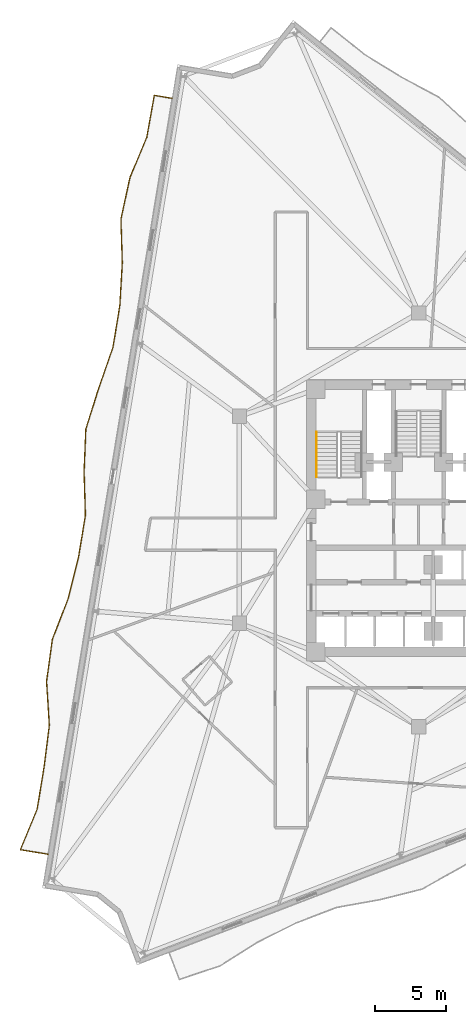
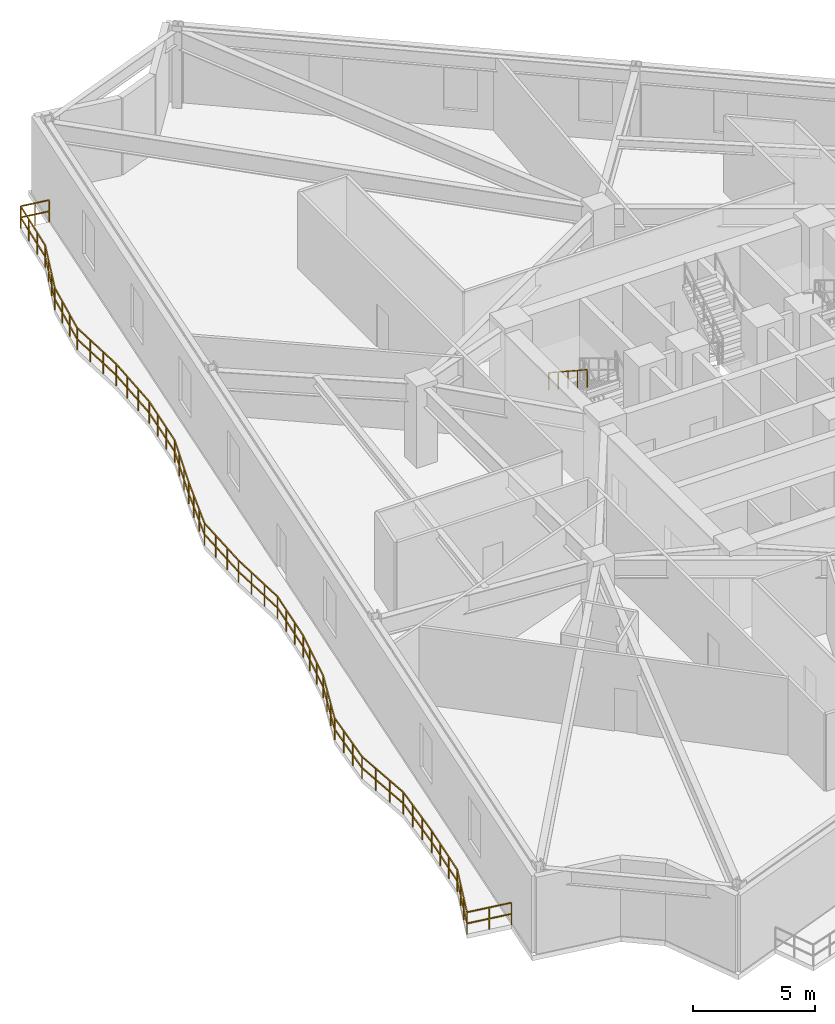
# One storey, part 9 of 11: 2 railings.
"""IFC4 building model written with IfcOpenShell, lengths in metres."""

from ifc_helpers import new_model, si_unit, direction, frame, origin, origin_2d, place, context, subcontext, project, spatial, rectangle, extrude, material, type_object, element, save


model = new_model("IFC4")

# Units and contexts
model_context = context("Model", 3, precision=1e-05, world=origin(), true_north=direction((0.0, 1.0)))
body_context = subcontext(model_context, "Body", "Model", "MODEL_VIEW")
ifc_project = project(units=[si_unit("LENGTHUNIT", "METRE"), si_unit("AREAUNIT", "SQUARE_METRE"), si_unit("VOLUMEUNIT", "CUBIC_METRE"), si_unit("PLANEANGLEUNIT", "RADIAN"), si_unit("MASSUNIT", "GRAM", prefix="KILO")], contexts=[model_context])

# Site, building, storey
site_placement = place(None, origin())
site = spatial("IfcSite", under=ifc_project, at=site_placement, CompositionType="ELEMENT")
building_placement = place(site_placement, origin())
building = spatial("IfcBuilding", under=site, at=building_placement, Name="Apsidion Concourse Tower", CompositionType="ELEMENT")
storey_placement = place(building_placement, frame((0.0, 0.0, 132.199951171875)))
storey = spatial("IfcBuildingStorey", under=building, at=storey_placement, Name="L30", CompositionType="ELEMENT", Elevation=132.199951171875)

# Railings
ifc_material = material(Name="Brushed stainless steel 316", Category="steel")
railing_type_1 = type_object("IfcRailingType", Name="RL-BAL-1120", PredefinedType="BALUSTRADE", material=ifc_material)
railing_1_placement = place(storey_placement, frame((-25.99072265625, -23.43701171875, 0.0)))
element("IfcRailing", 1, at=railing_1_placement, inside=storey, type_object=railing_type_1, Name="L30 Face 1 Rippling Balcony Balustrade", PredefinedType="BALUSTRADE", context=body_context, shape_type="SweptSolid", body=[
    extrude(rectangle(XDim=0.048095703125, YDim=0.048095703125, at=origin_2d()), frame((0.0, 0.0, 1.09619140625), z_axis=(-0.986783418125, 0.162044702824, 0.0), x_axis=(-0.162044702824, -0.986783418125, 0.0)), (0.0, 0.0, 1.0), 1.951171875),
    extrude(rectangle(XDim=0.048095703125, YDim=0.048095703125, at=origin_2d()), frame((0.0, 0.0, 0.5361328125), z_axis=(-0.986783418125, 0.162044702824, 0.0), x_axis=(-0.162044702824, -0.986783418125, 0.0)), (0.0, 0.0, 1.0), 1.951171875),
    extrude(rectangle(XDim=0.048095703125, YDim=0.048095703125, at=origin_2d()), frame((-1.92529296875, 0.316162109375, 1.09619140625), z_axis=(0.38342127394, 0.923573563226, 0.0), x_axis=(-0.923573563226, 0.38342127394, 0.0)), (0.0, 0.0, 1.0), 3.06396484375),
    extrude(rectangle(XDim=0.048095703125, YDim=0.048095703125, at=origin_2d()), frame((-1.92529296875, 0.316162109375, 0.5361328125), z_axis=(0.38342127394, 0.923573563226, 0.0), x_axis=(-0.923573563226, 0.38342127394, 0.0)), (0.0, 0.0, 1.0), 3.06396484375),
    extrude(rectangle(XDim=0.048095703125, YDim=0.048095703125, at=origin_2d()), frame((-0.75048828125, 3.14599609375, 1.09619140625), z_axis=(0.162049402003, 0.986782646438, 0.0), x_axis=(-0.986782646438, 0.162049402003, 0.0)), (0.0, 0.0, 1.0), 2.98291015625),
    extrude(rectangle(XDim=0.048095703125, YDim=0.048095703125, at=origin_2d()), frame((-0.75048828125, 3.14599609375, 0.5361328125), z_axis=(0.162049402003, 0.986782646438, 0.0), x_axis=(-0.986782646438, 0.162049402003, 0.0)), (0.0, 0.0, 1.0), 2.98291015625),
    extrude(rectangle(XDim=0.048095703125, YDim=0.048095703125, at=origin_2d()), frame((-0.26708984375, 6.089599609375, 1.09619140625), z_axis=(0.124558139587, 0.99221231088, 0.0), x_axis=(-0.99221231088, 0.124558139587, 0.0)), (0.0, 0.0, 1.0), 2.985107421875),
    extrude(rectangle(XDim=0.048095703125, YDim=0.048095703125, at=origin_2d()), frame((-0.26708984375, 6.089599609375, 0.5361328125), z_axis=(0.124558139587, 0.99221231088, 0.0), x_axis=(-0.99221231088, 0.124558139587, 0.0)), (0.0, 0.0, 1.0), 2.985107421875),
    extrude(rectangle(XDim=0.048095703125, YDim=0.048095703125, at=origin_2d()), frame((0.104736328125, 9.051513671875, 1.09619140625), z_axis=(-0.063882673234, 0.997957415955, 0.0), x_axis=(-0.997957415955, -0.063882673234, 0.0)), (0.0, 0.0, 1.0), 3.061279296875),
    extrude(rectangle(XDim=0.048095703125, YDim=0.048095703125, at=origin_2d()), frame((0.104736328125, 9.051513671875, 0.5361328125), z_axis=(-0.063882673234, 0.997957415955, 0.0), x_axis=(-0.997957415955, -0.063882673234, 0.0)), (0.0, 0.0, 1.0), 3.061279296875),
    extrude(rectangle(XDim=0.048095703125, YDim=0.048095703125, at=origin_2d()), frame((-0.0908203125, 12.1064453125, 1.09619140625), z_axis=(0.136712146816, 0.990610816069, 0.0), x_axis=(-0.990610816069, 0.136712146816, 0.0)), (0.0, 0.0, 1.0), 2.984130859375),
    extrude(rectangle(XDim=0.048095703125, YDim=0.048095703125, at=origin_2d()), frame((-0.0908203125, 12.1064453125, 0.5361328125), z_axis=(0.136712146816, 0.990610816069, 0.0), x_axis=(-0.990610816069, 0.136712146816, 0.0)), (0.0, 0.0, 1.0), 2.984130859375),
    extrude(rectangle(XDim=0.048095703125, YDim=0.048095703125, at=origin_2d()), frame((0.317138671875, 15.0625, 1.09619140625), z_axis=(0.362079072325, 0.932147383939, 0.0), x_axis=(-0.932147383939, 0.362079072325, 0.0)), (0.0, 0.0, 1.0), 3.04833984375),
    extrude(rectangle(XDim=0.048095703125, YDim=0.048095703125, at=origin_2d()), frame((0.317138671875, 15.0625, 0.5361328125), z_axis=(0.362079072325, 0.932147383939, 0.0), x_axis=(-0.932147383939, 0.362079072325, 0.0)), (0.0, 0.0, 1.0), 3.04833984375),
    extrude(rectangle(XDim=0.048095703125, YDim=0.048095703125, at=origin_2d()), frame((1.4208984375, 17.904052734375, 1.09619140625), z_axis=(0.243130487984, 0.969993590604, 0.0), x_axis=(-0.969993590604, 0.243130487984, 0.0)), (0.0, 0.0, 1.0), 2.993408203125),
    extrude(rectangle(XDim=0.048095703125, YDim=0.048095703125, at=origin_2d()), frame((1.4208984375, 17.904052734375, 0.5361328125), z_axis=(0.243130487984, 0.969993590604, 0.0), x_axis=(-0.969993590604, 0.243130487984, 0.0)), (0.0, 0.0, 1.0), 2.993408203125),
    extrude(rectangle(XDim=0.048095703125, YDim=0.048095703125, at=origin_2d()), frame((2.148681640625, 20.8076171875, 1.09619140625), z_axis=(0.161969706487, 0.986795730727, 0.0), x_axis=(-0.986795730727, 0.161969706487, 0.0)), (0.0, 0.0, 1.0), 2.98291015625),
    extrude(rectangle(XDim=0.048095703125, YDim=0.048095703125, at=origin_2d()), frame((2.148681640625, 20.8076171875, 0.5361328125), z_axis=(0.161969706487, 0.986795730727, 0.0), x_axis=(-0.986795730727, 0.161969706487, 0.0)), (0.0, 0.0, 1.0), 2.98291015625),
    extrude(rectangle(XDim=0.048095703125, YDim=0.048095703125, at=origin_2d()), frame((2.6318359375, 23.751220703125, 1.09619140625), z_axis=(-0.030763317663, 0.999526697135, 0.0), x_axis=(-0.999526697135, -0.030763317663, 0.0)), (0.0, 0.0, 1.0), 3.03955078125),
    extrude(rectangle(XDim=0.048095703125, YDim=0.048095703125, at=origin_2d()), frame((2.6318359375, 23.751220703125, 0.5361328125), z_axis=(-0.030763317663, 0.999526697135, 0.0), x_axis=(-0.999526697135, -0.030763317663, 0.0)), (0.0, 0.0, 1.0), 3.03955078125),
    extrude(rectangle(XDim=0.048095703125, YDim=0.048095703125, at=origin_2d()), frame((2.538330078125, 26.789306640625, 1.09619140625), z_axis=(0.041025679865, 0.999158092392, 0.0), x_axis=(-0.999158092392, 0.041025679865, 0.0)), (0.0, 0.0, 1.0), 3.005126953125),
    extrude(rectangle(XDim=0.048095703125, YDim=0.048095703125, at=origin_2d()), frame((2.538330078125, 26.789306640625, 0.5361328125), z_axis=(0.041025679865, 0.999158092392, 0.0), x_axis=(-0.999158092392, 0.041025679865, 0.0)), (0.0, 0.0, 1.0), 3.005126953125),
    extrude(rectangle(XDim=0.048095703125, YDim=0.048095703125, at=origin_2d()), frame((2.66162109375, 29.7919921875, 1.09619140625), z_axis=(0.30072810206, 0.953709918493, 0.0), x_axis=(-0.953709918493, 0.30072810206, 0.0)), (0.0, 0.0, 1.0), 3.013427734375),
    extrude(rectangle(XDim=0.048095703125, YDim=0.048095703125, at=origin_2d()), frame((2.66162109375, 29.7919921875, 0.5361328125), z_axis=(0.30072810206, 0.953709918493, 0.0), x_axis=(-0.953709918493, 0.30072810206, 0.0)), (0.0, 0.0, 1.0), 3.013427734375),
    extrude(rectangle(XDim=0.048095703125, YDim=0.048095703125, at=origin_2d()), frame((3.56787109375, 32.666015625, 1.09619140625), z_axis=(0.329114716703, 0.9442899466, 0.0), x_axis=(-0.9442899466, 0.329114716703, 0.0)), (0.0, 0.0, 1.0), 3.028076171875),
    extrude(rectangle(XDim=0.048095703125, YDim=0.048095703125, at=origin_2d()), frame((3.56787109375, 32.666015625, 0.5361328125), z_axis=(0.329114716703, 0.9442899466, 0.0), x_axis=(-0.9442899466, 0.329114716703, 0.0)), (0.0, 0.0, 1.0), 3.028076171875),
    extrude(rectangle(XDim=0.048095703125, YDim=0.048095703125, at=origin_2d()), frame((4.564453125, 35.525390625, 1.09619140625), z_axis=(0.161969706487, 0.986795730727, 0.0), x_axis=(-0.986795730727, 0.161969706487, 0.0)), (0.0, 0.0, 1.0), 2.98291015625),
    extrude(rectangle(XDim=0.048095703125, YDim=0.048095703125, at=origin_2d()), frame((4.564453125, 35.525390625, 0.5361328125), z_axis=(0.161969706487, 0.986795730727, 0.0), x_axis=(-0.986795730727, 0.161969706487, 0.0)), (0.0, 0.0, 1.0), 2.98291015625),
    extrude(rectangle(XDim=0.048095703125, YDim=0.048095703125, at=origin_2d()), frame((5.047607421875, 38.468994140625, 1.09619140625), z_axis=(0.056646485034, 0.998394298728, 0.0), x_axis=(-0.998394298728, 0.056646485034, 0.0)), (0.0, 0.0, 1.0), 2.999755859375),
    extrude(rectangle(XDim=0.048095703125, YDim=0.048095703125, at=origin_2d()), frame((5.047607421875, 38.468994140625, 0.5361328125), z_axis=(0.056646485034, 0.998394298728, 0.0), x_axis=(-0.998394298728, 0.056646485034, 0.0)), (0.0, 0.0, 1.0), 2.999755859375),
    extrude(rectangle(XDim=0.048095703125, YDim=0.048095703125, at=origin_2d()), frame((5.217529296875, 41.4638671875, 1.09619140625), z_axis=(-0.031879024559, 0.99949173473, 0.0), x_axis=(-0.99949173473, -0.031879024559, 0.0)), (0.0, 0.0, 1.0), 3.040283203125),
    extrude(rectangle(XDim=0.048095703125, YDim=0.048095703125, at=origin_2d()), frame((5.217529296875, 41.4638671875, 0.5361328125), z_axis=(-0.031879024559, 0.99949173473, 0.0), x_axis=(-0.99949173473, -0.031879024559, 0.0)), (0.0, 0.0, 1.0), 3.040283203125),
    extrude(rectangle(XDim=0.048095703125, YDim=0.048095703125, at=origin_2d()), frame((5.12060546875, 44.502685546875, 1.09619140625), z_axis=(0.211951131573, 0.97728026575, 0.0), x_axis=(-0.97728026575, 0.211951131573, 0.0)), (0.0, 0.0, 1.0), 2.98681640625),
    extrude(rectangle(XDim=0.048095703125, YDim=0.048095703125, at=origin_2d()), frame((5.12060546875, 44.502685546875, 0.5361328125), z_axis=(0.211951131573, 0.97728026575, 0.0), x_axis=(-0.97728026575, 0.211951131573, 0.0)), (0.0, 0.0, 1.0), 2.98681640625),
    extrude(rectangle(XDim=0.048095703125, YDim=0.048095703125, at=origin_2d()), frame((5.753662109375, 47.421630859375, 1.09619140625), z_axis=(0.384999905326, 0.922916612105, 0.0), x_axis=(-0.922916612105, 0.384999905326, 0.0)), (0.0, 0.0, 1.0), 3.0654296875),
    extrude(rectangle(XDim=0.048095703125, YDim=0.048095703125, at=origin_2d()), frame((5.753662109375, 47.421630859375, 0.5361328125), z_axis=(0.384999905326, 0.922916612105, 0.0), x_axis=(-0.922916612105, 0.384999905326, 0.0)), (0.0, 0.0, 1.0), 3.0654296875),
    extrude(rectangle(XDim=0.048095703125, YDim=0.048095703125, at=origin_2d()), frame((6.933837890625, 50.250732421875, 1.09619140625), z_axis=(0.1775746639, 0.984107330905, 0.0), x_axis=(-0.984107330905, 0.1775746639, 0.0)), (0.0, 0.0, 1.0), 2.9833984375),
    extrude(rectangle(XDim=0.048095703125, YDim=0.048095703125, at=origin_2d()), frame((6.933837890625, 50.250732421875, 0.5361328125), z_axis=(0.1775746639, 0.984107330905, 0.0), x_axis=(-0.984107330905, 0.1775746639, 0.0)), (0.0, 0.0, 1.0), 2.9833984375),
    extrude(rectangle(XDim=0.048095703125, YDim=0.048095703125, at=origin_2d()), frame((7.463623046875, 53.186767578125, 1.09619140625), z_axis=(0.986771375396, -0.162118020898, 0.0), x_axis=(0.162118020898, 0.986771375396, 0.0)), (0.0, 0.0, 1.0), 1.25),
    extrude(rectangle(XDim=0.048095703125, YDim=0.048095703125, at=origin_2d()), frame((7.463623046875, 53.186767578125, 0.5361328125), z_axis=(0.986771375396, -0.162118020898, 0.0), x_axis=(0.162118020898, 0.986771375396, 0.0)), (0.0, 0.0, 1.0), 1.25),
    extrude(rectangle(XDim=0.0419921875, YDim=0.0419921875, at=origin_2d()), origin(), (0.0, 0.0, 1.0), 1.072021484375),
    extrude(rectangle(XDim=0.0419921875, YDim=0.0419921875, at=origin_2d()), frame((-0.962646484375, 0.158203125, 0.0)), (0.0, 0.0, 1.0), 1.072021484375),
    extrude(rectangle(XDim=0.0419921875, YDim=0.0419921875, at=origin_2d()), frame((-1.92529296875, 0.316162109375, 0.0)), (0.0, 0.0, 1.0), 1.072021484375),
    extrude(rectangle(XDim=0.0419921875, YDim=0.0419921875, at=origin_2d()), frame((-1.53369140625, 1.259521484375, 0.0)), (0.0, 0.0, 1.0), 1.072021484375),
    extrude(rectangle(XDim=0.0419921875, YDim=0.0419921875, at=origin_2d()), frame((-1.14208984375, 2.20263671875, 0.0)), (0.0, 0.0, 1.0), 1.072021484375),
    extrude(rectangle(XDim=0.0419921875, YDim=0.0419921875, at=origin_2d()), frame((-0.75048828125, 3.14599609375, 0.0)), (0.0, 0.0, 1.0), 1.072021484375),
    extrude(rectangle(XDim=0.0419921875, YDim=0.0419921875, at=origin_2d()), frame((-0.58935546875, 4.127197265625, 0.0)), (0.0, 0.0, 1.0), 1.072021484375),
    extrude(rectangle(XDim=0.0419921875, YDim=0.0419921875, at=origin_2d()), frame((-0.42822265625, 5.1083984375, 0.0)), (0.0, 0.0, 1.0), 1.072021484375),
    extrude(rectangle(XDim=0.0419921875, YDim=0.0419921875, at=origin_2d()), frame((-0.26708984375, 6.089599609375, 0.0)), (0.0, 0.0, 1.0), 1.072021484375),
    extrude(rectangle(XDim=0.0419921875, YDim=0.0419921875, at=origin_2d()), frame((-0.14306640625, 7.076904296875, 0.0)), (0.0, 0.0, 1.0), 1.072021484375),
    extrude(rectangle(XDim=0.0419921875, YDim=0.0419921875, at=origin_2d()), frame((-0.019287109375, 8.064208984375, 0.0)), (0.0, 0.0, 1.0), 1.072021484375),
    extrude(rectangle(XDim=0.0419921875, YDim=0.0419921875, at=origin_2d()), frame((0.104736328125, 9.051513671875, 0.0)), (0.0, 0.0, 1.0), 1.072021484375),
    extrude(rectangle(XDim=0.0419921875, YDim=0.0419921875, at=origin_2d()), frame((0.03955078125, 10.06982421875, 0.0)), (0.0, 0.0, 1.0), 1.072021484375),
    extrude(rectangle(XDim=0.0419921875, YDim=0.0419921875, at=origin_2d()), frame((-0.025634765625, 11.088134765625, 0.0)), (0.0, 0.0, 1.0), 1.072021484375),
    extrude(rectangle(XDim=0.0419921875, YDim=0.0419921875, at=origin_2d()), frame((-0.0908203125, 12.1064453125, 0.0)), (0.0, 0.0, 1.0), 1.072021484375),
    extrude(rectangle(XDim=0.0419921875, YDim=0.0419921875, at=origin_2d()), frame((0.045166015625, 13.091796875, 0.0)), (0.0, 0.0, 1.0), 1.072021484375),
    extrude(rectangle(XDim=0.0419921875, YDim=0.0419921875, at=origin_2d()), frame((0.18115234375, 14.0771484375, 0.0)), (0.0, 0.0, 1.0), 1.072021484375),
    extrude(rectangle(XDim=0.0419921875, YDim=0.0419921875, at=origin_2d()), frame((0.317138671875, 15.0625, 0.0)), (0.0, 0.0, 1.0), 1.072021484375),
    extrude(rectangle(XDim=0.0419921875, YDim=0.0419921875, at=origin_2d()), frame((0.68505859375, 16.009765625, 0.0)), (0.0, 0.0, 1.0), 1.072021484375),
    extrude(rectangle(XDim=0.0419921875, YDim=0.0419921875, at=origin_2d()), frame((1.052978515625, 16.956787109375, 0.0)), (0.0, 0.0, 1.0), 1.072021484375),
    extrude(rectangle(XDim=0.0419921875, YDim=0.0419921875, at=origin_2d()), frame((1.4208984375, 17.904052734375, 0.0)), (0.0, 0.0, 1.0), 1.072021484375),
    extrude(rectangle(XDim=0.0419921875, YDim=0.0419921875, at=origin_2d()), frame((1.66357421875, 18.871826171875, 0.0)), (0.0, 0.0, 1.0), 1.072021484375),
    extrude(rectangle(XDim=0.0419921875, YDim=0.0419921875, at=origin_2d()), frame((1.906005859375, 19.83984375, 0.0)), (0.0, 0.0, 1.0), 1.072021484375),
    extrude(rectangle(XDim=0.0419921875, YDim=0.0419921875, at=origin_2d()), frame((2.148681640625, 20.8076171875, 0.0)), (0.0, 0.0, 1.0), 1.072021484375),
    extrude(rectangle(XDim=0.0419921875, YDim=0.0419921875, at=origin_2d()), frame((2.309814453125, 21.788818359375, 0.0)), (0.0, 0.0, 1.0), 1.072021484375),
    extrude(rectangle(XDim=0.0419921875, YDim=0.0419921875, at=origin_2d()), frame((2.470703125, 22.77001953125, 0.0)), (0.0, 0.0, 1.0), 1.072021484375),
    extrude(rectangle(XDim=0.0419921875, YDim=0.0419921875, at=origin_2d()), frame((2.6318359375, 23.751220703125, 0.0)), (0.0, 0.0, 1.0), 1.072021484375),
    extrude(rectangle(XDim=0.0419921875, YDim=0.0419921875, at=origin_2d()), frame((2.6005859375, 24.763916015625, 0.0)), (0.0, 0.0, 1.0), 1.072021484375),
    extrude(rectangle(XDim=0.0419921875, YDim=0.0419921875, at=origin_2d()), frame((2.569580078125, 25.776611328125, 0.0)), (0.0, 0.0, 1.0), 1.072021484375),
    extrude(rectangle(XDim=0.0419921875, YDim=0.0419921875, at=origin_2d()), frame((2.538330078125, 26.789306640625, 0.0)), (0.0, 0.0, 1.0), 1.072021484375),
    extrude(rectangle(XDim=0.0419921875, YDim=0.0419921875, at=origin_2d()), frame((2.579345703125, 27.790283203125, 0.0)), (0.0, 0.0, 1.0), 1.072021484375),
    extrude(rectangle(XDim=0.0419921875, YDim=0.0419921875, at=origin_2d()), frame((2.62060546875, 28.791015625, 0.0)), (0.0, 0.0, 1.0), 1.072021484375),
    extrude(rectangle(XDim=0.0419921875, YDim=0.0419921875, at=origin_2d()), frame((2.66162109375, 29.7919921875, 0.0)), (0.0, 0.0, 1.0), 1.072021484375),
    extrude(rectangle(XDim=0.0419921875, YDim=0.0419921875, at=origin_2d()), frame((2.963623046875, 30.75, 0.0)), (0.0, 0.0, 1.0), 1.072021484375),
    extrude(rectangle(XDim=0.0419921875, YDim=0.0419921875, at=origin_2d()), frame((3.265869140625, 31.7080078125, 0.0)), (0.0, 0.0, 1.0), 1.072021484375),
    extrude(rectangle(XDim=0.0419921875, YDim=0.0419921875, at=origin_2d()), frame((3.56787109375, 32.666015625, 0.0)), (0.0, 0.0, 1.0), 1.072021484375),
    extrude(rectangle(XDim=0.0419921875, YDim=0.0419921875, at=origin_2d()), frame((3.900146484375, 33.619140625, 0.0)), (0.0, 0.0, 1.0), 1.072021484375),
    extrude(rectangle(XDim=0.0419921875, YDim=0.0419921875, at=origin_2d()), frame((4.232177734375, 34.572265625, 0.0)), (0.0, 0.0, 1.0), 1.072021484375),
    extrude(rectangle(XDim=0.0419921875, YDim=0.0419921875, at=origin_2d()), frame((4.564453125, 35.525390625, 0.0)), (0.0, 0.0, 1.0), 1.072021484375),
    extrude(rectangle(XDim=0.0419921875, YDim=0.0419921875, at=origin_2d()), frame((4.7255859375, 36.506591796875, 0.0)), (0.0, 0.0, 1.0), 1.072021484375),
    extrude(rectangle(XDim=0.0419921875, YDim=0.0419921875, at=origin_2d()), frame((4.886474609375, 37.48779296875, 0.0)), (0.0, 0.0, 1.0), 1.072021484375),
    extrude(rectangle(XDim=0.0419921875, YDim=0.0419921875, at=origin_2d()), frame((5.047607421875, 38.468994140625, 0.0)), (0.0, 0.0, 1.0), 1.072021484375),
    extrude(rectangle(XDim=0.0419921875, YDim=0.0419921875, at=origin_2d()), frame((5.104248046875, 39.46728515625, 0.0)), (0.0, 0.0, 1.0), 1.072021484375),
    extrude(rectangle(XDim=0.0419921875, YDim=0.0419921875, at=origin_2d()), frame((5.160888671875, 40.465576171875, 0.0)), (0.0, 0.0, 1.0), 1.072021484375),
    extrude(rectangle(XDim=0.0419921875, YDim=0.0419921875, at=origin_2d()), frame((5.217529296875, 41.4638671875, 0.0)), (0.0, 0.0, 1.0), 1.072021484375),
    extrude(rectangle(XDim=0.0419921875, YDim=0.0419921875, at=origin_2d()), frame((5.185302734375, 42.476806640625, 0.0)), (0.0, 0.0, 1.0), 1.072021484375),
    extrude(rectangle(XDim=0.0419921875, YDim=0.0419921875, at=origin_2d()), frame((5.15283203125, 43.48974609375, 0.0)), (0.0, 0.0, 1.0), 1.072021484375),
    extrude(rectangle(XDim=0.0419921875, YDim=0.0419921875, at=origin_2d()), frame((5.12060546875, 44.502685546875, 0.0)), (0.0, 0.0, 1.0), 1.072021484375),
    extrude(rectangle(XDim=0.0419921875, YDim=0.0419921875, at=origin_2d()), frame((5.33154296875, 45.4755859375, 0.0)), (0.0, 0.0, 1.0), 1.072021484375),
    extrude(rectangle(XDim=0.0419921875, YDim=0.0419921875, at=origin_2d()), frame((5.542724609375, 46.44873046875, 0.0)), (0.0, 0.0, 1.0), 1.072021484375),
    extrude(rectangle(XDim=0.0419921875, YDim=0.0419921875, at=origin_2d()), frame((5.753662109375, 47.421630859375, 0.0)), (0.0, 0.0, 1.0), 1.072021484375),
    extrude(rectangle(XDim=0.0419921875, YDim=0.0419921875, at=origin_2d()), frame((6.14697265625, 48.36474609375, 0.0)), (0.0, 0.0, 1.0), 1.072021484375),
    extrude(rectangle(XDim=0.0419921875, YDim=0.0419921875, at=origin_2d()), frame((6.54052734375, 49.3076171875, 0.0)), (0.0, 0.0, 1.0), 1.072021484375),
    extrude(rectangle(XDim=0.0419921875, YDim=0.0419921875, at=origin_2d()), frame((6.933837890625, 50.250732421875, 0.0)), (0.0, 0.0, 1.0), 1.072021484375),
    extrude(rectangle(XDim=0.0419921875, YDim=0.0419921875, at=origin_2d()), frame((7.1103515625, 51.2294921875, 0.0)), (0.0, 0.0, 1.0), 1.072021484375),
    extrude(rectangle(XDim=0.0419921875, YDim=0.0419921875, at=origin_2d()), frame((7.287109375, 52.2080078125, 0.0)), (0.0, 0.0, 1.0), 1.072021484375),
    extrude(rectangle(XDim=0.0419921875, YDim=0.0419921875, at=origin_2d()), frame((7.463623046875, 53.186767578125, 0.0)), (0.0, 0.0, 1.0), 1.072021484375),
    extrude(rectangle(XDim=0.0419921875, YDim=0.0419921875, at=origin_2d()), frame((8.080322265625, 53.08544921875, 0.0)), (0.0, 0.0, 1.0), 1.072021484375),
    extrude(rectangle(XDim=0.0419921875, YDim=0.0419921875, at=origin_2d()), frame((8.697021484375, 52.984130859375, 0.0)), (0.0, 0.0, 1.0), 1.072021484375),
])
railing_type_2 = type_object("IfcRailingType", Name="RL-HAND-900", PredefinedType="HANDRAIL", material=ifc_material)
railing_2_placement = place(storey_placement, frame((-7.14990234375, 6.135009765625, 2.220947265625)))
element("IfcRailing", 2, at=railing_2_placement, inside=storey, type_object=railing_type_2, Name="L30 ST1 stair handrail 2", PredefinedType="HANDRAIL", context=body_context, shape_type="SweptSolid", body=[
    extrude(rectangle(XDim=0.048095703125, YDim=0.048095703125, at=origin_2d()), frame((0.0, 0.0, 0.8759765625), z_axis=(0.0, -0.836940907821, 0.547293263996), x_axis=(1.0, 0.0, 0.0)), (0.0, 0.0, 1.0), 3.745849609375),
    extrude(rectangle(XDim=0.0419921875, YDim=0.0419921875, at=origin_2d()), origin(), (0.0, 0.0, 1.0), 0.851806640625),
    extrude(rectangle(XDim=0.0419921875, YDim=0.0419921875, at=origin_2d()), frame((0.0, -0.78369140625, 0.512451171875)), (0.0, 0.0, 1.0), 0.851806640625),
    extrude(rectangle(XDim=0.0419921875, YDim=0.0419921875, at=origin_2d()), frame((0.0, -1.5673828125, 1.02490234375)), (0.0, 0.0, 1.0), 0.851806640625),
    extrude(rectangle(XDim=0.0419921875, YDim=0.0419921875, at=origin_2d()), frame((0.0, -2.351318359375, 1.53759765625)), (0.0, 0.0, 1.0), 0.851806640625),
    extrude(rectangle(XDim=0.0419921875, YDim=0.0419921875, at=origin_2d()), frame((0.0, -3.135009765625, 2.050048828125)), (0.0, 0.0, 1.0), 0.851806640625),
])

save(model, "model.ifc")
